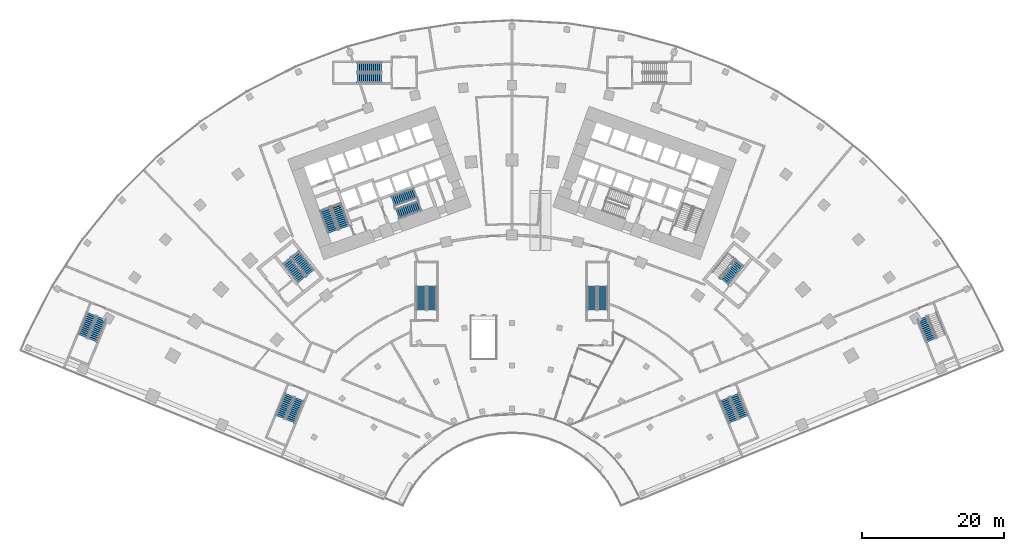
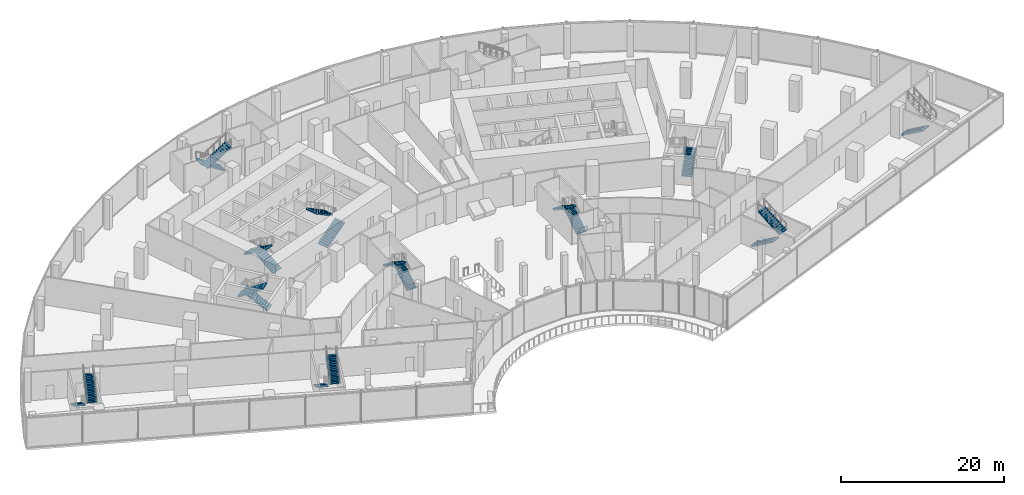
# One storey, part 30 of 40: 20 stair flights, 11 elements without a shape of their own.
"""IFC4 building model written with IfcOpenShell, lengths in metres."""

from ifc_helpers import new_model, si_unit, direction, frame, origin, place, context, subcontext, project, spatial, polyline, outline, extrude, material, layer, layer_set, type_object, element, aggregate, save


model = new_model("IFC4")

# Units and contexts
model_context = context("Model", 3, precision=1e-05, world=origin(), true_north=direction((0.0, 1.0)))
body_context = subcontext(model_context, "Body", "Model", "MODEL_VIEW")
ifc_project = project(units=[si_unit("LENGTHUNIT", "METRE"), si_unit("AREAUNIT", "SQUARE_METRE"), si_unit("VOLUMEUNIT", "CUBIC_METRE"), si_unit("PLANEANGLEUNIT", "RADIAN"), si_unit("MASSUNIT", "GRAM", prefix="KILO")], contexts=[model_context])

# Site, building, storey
site_placement = place(None, origin())
site = spatial("IfcSite", under=ifc_project, at=site_placement, CompositionType="ELEMENT")
building_placement = place(site_placement, origin())
building = spatial("IfcBuilding", under=site, at=building_placement, Name="Stone Belt Terrace Tower", CompositionType="ELEMENT")
storey_placement = place(building_placement, frame((0.0, 0.0, 7.0)))
storey = spatial("IfcBuildingStorey", under=building, at=storey_placement, Name="L01", CompositionType="ELEMENT", Elevation=7.0)

# Stair, stair flights
ifc_material_1 = material(Name="Concrete B30", Category="concrete")
stair_type_1 = type_object("IfcStairType", Name="Podium stair concrete B30", PredefinedType="HALF_TURN_STAIR", material=ifc_material_1)
stair_1_placement = place(storey_placement, origin())
stair_1 = element("IfcStair", 1, at=stair_1_placement, inside=storey, type_object=stair_type_1, Name="L01 podium exit stair 1", PredefinedType="HALF_TURN_STAIR")
ifc_layer = layer(ifc_material_1, 0.14990234375)
ifc_layer_set = layer_set([ifc_layer], Name="Podium stair flight concrete B30")
stair_flight_type_1 = type_object("IfcStairFlightType", Name="Podium stair flight concrete B30", PredefinedType="STRAIGHT", material=ifc_layer_set)
stair_flight_1_placement = place(storey_placement, frame((-31.255126953125, 21.964111328125, 0.0), z_axis=(0.0, 0.0, 1.0), x_axis=(-0.37924309334, -0.925297074541, 0.0)))
stair_flight_1 = element("IfcStairFlight", 2, at=stair_flight_1_placement, type_object=stair_flight_type_1, Name="PS1 flight 1", NumberOfRisers=13, NumberOfTreads=12, PredefinedType="STRAIGHT", RiserHeight=0.176923077, TreadLength=0.28, context=body_context, shape_type="SweptSolid", body=[
    extrude(outline(polyline([(0.0, 0.0), (0.0, 0.177001953125), (0.280029296875, 0.177001953125), (0.280029296875, 0.353759765625), (0.56005859375, 0.353759765625), (0.56005859375, 0.53076171875), (0.840087890625, 0.53076171875), (0.840087890625, 0.707763671875), (1.1201171875, 0.707763671875), (1.1201171875, 0.884521484375), (1.39990234375, 0.884521484375), (1.39990234375, 1.0615234375), (1.679931640625, 1.0615234375), (1.679931640625, 1.238525390625), (1.9599609375, 1.238525390625), (1.9599609375, 1.415283203125), (2.239990234375, 1.415283203125), (2.239990234375, 1.59228515625), (2.52001953125, 1.59228515625), (2.52001953125, 1.769287109375), (2.800048828125, 1.769287109375), (2.800048828125, 1.946044921875), (3.080078125, 1.946044921875), (3.080078125, 2.123046875), (3.360107421875, 2.123046875), (3.360107421875, 2.300048828125), (3.360107421875, 1.94580078125), (0.280517578125, 0.0), (0.0, 0.0)])), frame((0.0, 0.675048828125, 0.0), z_axis=(0.0, -1.0, 0.0), x_axis=(1.0, 0.0, 0.0)), (0.0, 0.0, 1.0), 1.35009765625),
])
stair_flight_2_placement = place(storey_placement, frame((-31.141357421875, 18.2861328125, 2.300048828125), z_axis=(0.0, 0.0, 1.0), x_axis=(0.37924309334, 0.925297074541, 0.0)))
stair_flight_2 = element("IfcStairFlight", 3, at=stair_flight_2_placement, type_object=stair_flight_type_1, Name="PS1 flight 2", NumberOfRisers=13, NumberOfTreads=12, PredefinedType="STRAIGHT", RiserHeight=0.176923077, TreadLength=0.28, context=body_context, shape_type="SweptSolid", body=[
    extrude(outline(polyline([(0.0, 0.0), (0.0, 0.177001953125), (0.280029296875, 0.177001953125), (0.280029296875, 0.353759765625), (0.56005859375, 0.353759765625), (0.56005859375, 0.53076171875), (0.840087890625, 0.53076171875), (0.840087890625, 0.707763671875), (1.1201171875, 0.707763671875), (1.1201171875, 0.884521484375), (1.39990234375, 0.884521484375), (1.39990234375, 1.0615234375), (1.679931640625, 1.0615234375), (1.679931640625, 1.238525390625), (1.9599609375, 1.238525390625), (1.9599609375, 1.415283203125), (2.239990234375, 1.415283203125), (2.239990234375, 1.59228515625), (2.52001953125, 1.59228515625), (2.52001953125, 1.769287109375), (2.800048828125, 1.769287109375), (2.800048828125, 1.946044921875), (3.080078125, 1.946044921875), (3.080078125, 2.123046875), (3.360107421875, 2.123046875), (3.360107421875, 2.300048828125), (3.360107421875, 1.94580078125), (0.280517578125, 0.0), (0.0, 0.0)])), frame((0.0, 0.675048828125, 0.0), z_axis=(0.0, -1.0, 0.0), x_axis=(1.0, 0.0, 0.0)), (0.0, 0.0, 1.0), 1.35009765625),
])
aggregate(stair_1, [stair_flight_1, stair_flight_2])

stair_2_placement = place(storey_placement, origin())
stair_2 = element("IfcStair", 4, at=stair_2_placement, inside=storey, type_object=stair_type_1, Name="L01 podium exit stair 2", PredefinedType="HALF_TURN_STAIR")
stair_flight_3_placement = place(storey_placement, frame((-59.01416015625, 33.34130859375, 0.0), z_axis=(0.0, 0.0, 1.0), x_axis=(-0.37924309334, -0.925297074541, 0.0)))
stair_flight_3 = element("IfcStairFlight", 5, at=stair_flight_3_placement, type_object=stair_flight_type_1, Name="PS2 flight 1", NumberOfRisers=13, NumberOfTreads=12, PredefinedType="STRAIGHT", RiserHeight=0.176923077, TreadLength=0.28, context=body_context, shape_type="SweptSolid", body=[
    extrude(outline(polyline([(0.0, 0.0), (0.0, 0.177001953125), (0.280029296875, 0.177001953125), (0.280029296875, 0.353759765625), (0.56005859375, 0.353759765625), (0.56005859375, 0.53076171875), (0.840087890625, 0.53076171875), (0.840087890625, 0.707763671875), (1.1201171875, 0.707763671875), (1.1201171875, 0.884521484375), (1.39990234375, 0.884521484375), (1.39990234375, 1.0615234375), (1.679931640625, 1.0615234375), (1.679931640625, 1.238525390625), (1.9599609375, 1.238525390625), (1.9599609375, 1.415283203125), (2.239990234375, 1.415283203125), (2.239990234375, 1.59228515625), (2.52001953125, 1.59228515625), (2.52001953125, 1.769287109375), (2.800048828125, 1.769287109375), (2.800048828125, 1.946044921875), (3.080078125, 1.946044921875), (3.080078125, 2.123046875), (3.360107421875, 2.123046875), (3.360107421875, 2.300048828125), (3.360107421875, 1.94580078125), (0.280517578125, 0.0), (0.0, 0.0)])), frame((0.0, 0.675048828125, 0.0), z_axis=(0.0, -1.0, 0.0), x_axis=(1.0, 0.0, 0.0)), (0.0, 0.0, 1.0), 1.35009765625),
])
stair_flight_4_placement = place(storey_placement, frame((-58.900390625, 29.66357421875, 2.300048828125), z_axis=(0.0, 0.0, 1.0), x_axis=(0.37924309334, 0.925297074541, 0.0)))
stair_flight_4 = element("IfcStairFlight", 6, at=stair_flight_4_placement, type_object=stair_flight_type_1, Name="PS2 flight 2", NumberOfRisers=13, NumberOfTreads=12, PredefinedType="STRAIGHT", RiserHeight=0.176923077, TreadLength=0.28, context=body_context, shape_type="SweptSolid", body=[
    extrude(outline(polyline([(0.0, 0.0), (0.0, 0.177001953125), (0.280029296875, 0.177001953125), (0.280029296875, 0.353759765625), (0.56005859375, 0.353759765625), (0.56005859375, 0.53076171875), (0.840087890625, 0.53076171875), (0.840087890625, 0.707763671875), (1.1201171875, 0.707763671875), (1.1201171875, 0.884521484375), (1.39990234375, 0.884521484375), (1.39990234375, 1.0615234375), (1.679931640625, 1.0615234375), (1.679931640625, 1.238525390625), (1.9599609375, 1.238525390625), (1.9599609375, 1.415283203125), (2.239990234375, 1.415283203125), (2.239990234375, 1.59228515625), (2.52001953125, 1.59228515625), (2.52001953125, 1.769287109375), (2.800048828125, 1.769287109375), (2.800048828125, 1.946044921875), (3.080078125, 1.946044921875), (3.080078125, 2.123046875), (3.360107421875, 2.123046875), (3.360107421875, 2.300048828125), (3.360107421875, 1.94580078125), (0.280517578125, 0.0), (0.0, 0.0)])), frame((0.0, 0.675048828125, 0.0), z_axis=(0.0, -1.0, 0.0), x_axis=(1.0, 0.0, 0.0)), (0.0, 0.0, 1.0), 1.35009765625),
])
aggregate(stair_2, [stair_flight_3, stair_flight_4])

stair_3_placement = place(storey_placement, origin())
stair_3 = element("IfcStair", 7, at=stair_3_placement, inside=storey, type_object=stair_type_1, Name="L01 podium exit stair 3", PredefinedType="HALF_TURN_STAIR")
stair_flight_5_placement = place(storey_placement, frame((29.8671875, 21.395263671875, 0.0), z_axis=(0.0, 0.0, 1.0), x_axis=(0.37924309334, -0.925297074541, 0.0)))
stair_flight_5 = element("IfcStairFlight", 8, at=stair_flight_5_placement, type_object=stair_flight_type_1, Name="PS3 flight 1", NumberOfRisers=13, NumberOfTreads=12, PredefinedType="STRAIGHT", RiserHeight=0.176923077, TreadLength=0.28, context=body_context, shape_type="SweptSolid", body=[
    extrude(outline(polyline([(0.0, 0.0), (0.0, 0.177001953125), (0.280029296875, 0.177001953125), (0.280029296875, 0.353759765625), (0.56005859375, 0.353759765625), (0.56005859375, 0.53076171875), (0.840087890625, 0.53076171875), (0.840087890625, 0.707763671875), (1.1201171875, 0.707763671875), (1.1201171875, 0.884521484375), (1.39990234375, 0.884521484375), (1.39990234375, 1.0615234375), (1.679931640625, 1.0615234375), (1.679931640625, 1.238525390625), (1.9599609375, 1.238525390625), (1.9599609375, 1.415283203125), (2.239990234375, 1.415283203125), (2.239990234375, 1.59228515625), (2.52001953125, 1.59228515625), (2.52001953125, 1.769287109375), (2.800048828125, 1.769287109375), (2.800048828125, 1.946044921875), (3.080078125, 1.946044921875), (3.080078125, 2.123046875), (3.360107421875, 2.123046875), (3.360107421875, 2.300048828125), (3.360107421875, 1.94580078125), (0.280517578125, 0.0), (0.0, 0.0)])), frame((0.0, 0.675048828125, 0.0), z_axis=(0.0, -1.0, 0.0), x_axis=(1.0, 0.0, 0.0)), (0.0, 0.0, 1.0), 1.35009765625),
])
stair_flight_6_placement = place(storey_placement, frame((32.529296875, 18.85498046875, 2.300048828125), z_axis=(0.0, 0.0, 1.0), x_axis=(-0.37924309334, 0.925297074541, 0.0)))
stair_flight_6 = element("IfcStairFlight", 9, at=stair_flight_6_placement, type_object=stair_flight_type_1, Name="PS3 flight 2", NumberOfRisers=13, NumberOfTreads=12, PredefinedType="STRAIGHT", RiserHeight=0.176923077, TreadLength=0.28, context=body_context, shape_type="SweptSolid", body=[
    extrude(outline(polyline([(0.0, 0.0), (0.0, 0.177001953125), (0.280029296875, 0.177001953125), (0.280029296875, 0.353759765625), (0.56005859375, 0.353759765625), (0.56005859375, 0.53076171875), (0.840087890625, 0.53076171875), (0.840087890625, 0.707763671875), (1.1201171875, 0.707763671875), (1.1201171875, 0.884521484375), (1.39990234375, 0.884521484375), (1.39990234375, 1.0615234375), (1.679931640625, 1.0615234375), (1.679931640625, 1.238525390625), (1.9599609375, 1.238525390625), (1.9599609375, 1.415283203125), (2.239990234375, 1.415283203125), (2.239990234375, 1.59228515625), (2.52001953125, 1.59228515625), (2.52001953125, 1.769287109375), (2.800048828125, 1.769287109375), (2.800048828125, 1.946044921875), (3.080078125, 1.946044921875), (3.080078125, 2.123046875), (3.360107421875, 2.123046875), (3.360107421875, 2.300048828125), (3.360107421875, 1.94580078125), (0.280517578125, 0.0), (0.0, 0.0)])), frame((0.0, 0.675048828125, 0.0), z_axis=(0.0, -1.0, 0.0), x_axis=(1.0, 0.0, 0.0)), (0.0, 0.0, 1.0), 1.35009765625),
])
aggregate(stair_3, [stair_flight_5, stair_flight_6])

# Stair, stair flight
stair_4_placement = place(storey_placement, origin())
stair_4 = element("IfcStair", 10, at=stair_4_placement, inside=storey, type_object=stair_type_1, Name="L01 podium exit stair 4", PredefinedType="HALF_TURN_STAIR")
stair_flight_7_placement = place(storey_placement, frame((57.6259765625, 32.7724609375, 0.0), z_axis=(0.0, 0.0, 1.0), x_axis=(0.37924309334, -0.925297074541, 0.0)))
stair_flight_7 = element("IfcStairFlight", 11, at=stair_flight_7_placement, type_object=stair_flight_type_1, Name="PS4 flight 1", NumberOfRisers=13, NumberOfTreads=12, PredefinedType="STRAIGHT", RiserHeight=0.176923077, TreadLength=0.28, context=body_context, shape_type="SweptSolid", body=[
    extrude(outline(polyline([(0.0, 0.0), (0.0, 0.177001953125), (0.280029296875, 0.177001953125), (0.280029296875, 0.353759765625), (0.56005859375, 0.353759765625), (0.56005859375, 0.53076171875), (0.840087890625, 0.53076171875), (0.840087890625, 0.707763671875), (1.1201171875, 0.707763671875), (1.1201171875, 0.884521484375), (1.39990234375, 0.884521484375), (1.39990234375, 1.0615234375), (1.679931640625, 1.0615234375), (1.679931640625, 1.238525390625), (1.9599609375, 1.238525390625), (1.9599609375, 1.415283203125), (2.239990234375, 1.415283203125), (2.239990234375, 1.59228515625), (2.52001953125, 1.59228515625), (2.52001953125, 1.769287109375), (2.800048828125, 1.769287109375), (2.800048828125, 1.946044921875), (3.080078125, 1.946044921875), (3.080078125, 2.123046875), (3.360107421875, 2.123046875), (3.360107421875, 2.300048828125), (3.360107421875, 1.94580078125), (0.280517578125, 0.0), (0.0, 0.0)])), frame((0.0, 0.675048828125, 0.0), z_axis=(0.0, -1.0, 0.0), x_axis=(1.0, 0.0, 0.0)), (0.0, 0.0, 1.0), 1.35009765625),
])
aggregate(stair_4, [stair_flight_7])

# Stair, stair flights
stair_5_placement = place(storey_placement, origin())
stair_5 = element("IfcStair", 12, at=stair_5_placement, inside=storey, type_object=stair_type_1, Name="L01 podium exit stair 5", PredefinedType="HALF_TURN_STAIR")
stair_flight_8_placement = place(storey_placement, frame((-11.25, 33.889892578125, 0.0), z_axis=(0.0, 0.0, 1.0), x_axis=(0.0, 1.0, 0.0)))
stair_flight_8 = element("IfcStairFlight", 13, at=stair_flight_8_placement, type_object=stair_flight_type_1, Name="PS5 flight 1", NumberOfRisers=13, NumberOfTreads=12, PredefinedType="STRAIGHT", RiserHeight=0.176923077, TreadLength=0.28, context=body_context, shape_type="SweptSolid", body=[
    extrude(outline(polyline([(0.0, 0.0), (0.0, 0.177001953125), (0.280029296875, 0.177001953125), (0.280029296875, 0.353759765625), (0.56005859375, 0.353759765625), (0.56005859375, 0.53076171875), (0.840087890625, 0.53076171875), (0.840087890625, 0.707763671875), (1.1201171875, 0.707763671875), (1.1201171875, 0.884521484375), (1.39990234375, 0.884521484375), (1.39990234375, 1.0615234375), (1.679931640625, 1.0615234375), (1.679931640625, 1.238525390625), (1.9599609375, 1.238525390625), (1.9599609375, 1.415283203125), (2.239990234375, 1.415283203125), (2.239990234375, 1.59228515625), (2.52001953125, 1.59228515625), (2.52001953125, 1.769287109375), (2.800048828125, 1.769287109375), (2.800048828125, 1.946044921875), (3.080078125, 1.946044921875), (3.080078125, 2.123046875), (3.360107421875, 2.123046875), (3.360107421875, 2.300048828125), (3.360107421875, 1.94580078125), (0.280517578125, 0.0), (0.0, 0.0)])), frame((0.0, 0.675048828125, 0.0), z_axis=(0.0, -1.0, 0.0), x_axis=(1.0, 0.0, 0.0)), (0.0, 0.0, 1.0), 1.35009765625),
])
stair_flight_9_placement = place(storey_placement, frame((-12.75, 37.25, 2.300048828125), z_axis=(0.0, 0.0, 1.0), x_axis=(0.0, -1.0, 0.0)))
stair_flight_9 = element("IfcStairFlight", 14, at=stair_flight_9_placement, type_object=stair_flight_type_1, Name="PS5 flight 2", NumberOfRisers=13, NumberOfTreads=12, PredefinedType="STRAIGHT", RiserHeight=0.176923077, TreadLength=0.28, context=body_context, shape_type="SweptSolid", body=[
    extrude(outline(polyline([(0.0, 0.0), (0.0, 0.177001953125), (0.280029296875, 0.177001953125), (0.280029296875, 0.353759765625), (0.56005859375, 0.353759765625), (0.56005859375, 0.53076171875), (0.840087890625, 0.53076171875), (0.840087890625, 0.707763671875), (1.1201171875, 0.707763671875), (1.1201171875, 0.884521484375), (1.39990234375, 0.884521484375), (1.39990234375, 1.0615234375), (1.679931640625, 1.0615234375), (1.679931640625, 1.238525390625), (1.9599609375, 1.238525390625), (1.9599609375, 1.415283203125), (2.239990234375, 1.415283203125), (2.239990234375, 1.59228515625), (2.52001953125, 1.59228515625), (2.52001953125, 1.769287109375), (2.800048828125, 1.769287109375), (2.800048828125, 1.946044921875), (3.080078125, 1.946044921875), (3.080078125, 2.123046875), (3.360107421875, 2.123046875), (3.360107421875, 2.300048828125), (3.360107421875, 1.94580078125), (0.280517578125, 0.0), (0.0, 0.0)])), frame((0.0, 0.675048828125, 0.0), z_axis=(0.0, -1.0, 0.0), x_axis=(1.0, 0.0, 0.0)), (0.0, 0.0, 1.0), 1.35009765625),
])
aggregate(stair_5, [stair_flight_8, stair_flight_9])

stair_6_placement = place(storey_placement, origin())
stair_6 = element("IfcStair", 15, at=stair_6_placement, inside=storey, type_object=stair_type_1, Name="L01 podium exit stair 6", PredefinedType="HALF_TURN_STAIR")
stair_flight_10_placement = place(storey_placement, frame((12.75, 33.889892578125, 0.0), z_axis=(0.0, 0.0, 1.0), x_axis=(0.0, 1.0, 0.0)))
stair_flight_10 = element("IfcStairFlight", 16, at=stair_flight_10_placement, type_object=stair_flight_type_1, Name="PS6 flight 1", NumberOfRisers=13, NumberOfTreads=12, PredefinedType="STRAIGHT", RiserHeight=0.176923077, TreadLength=0.28, context=body_context, shape_type="SweptSolid", body=[
    extrude(outline(polyline([(0.0, 0.0), (0.0, 0.177001953125), (0.280029296875, 0.177001953125), (0.280029296875, 0.353759765625), (0.56005859375, 0.353759765625), (0.56005859375, 0.53076171875), (0.840087890625, 0.53076171875), (0.840087890625, 0.707763671875), (1.1201171875, 0.707763671875), (1.1201171875, 0.884521484375), (1.39990234375, 0.884521484375), (1.39990234375, 1.0615234375), (1.679931640625, 1.0615234375), (1.679931640625, 1.238525390625), (1.9599609375, 1.238525390625), (1.9599609375, 1.415283203125), (2.239990234375, 1.415283203125), (2.239990234375, 1.59228515625), (2.52001953125, 1.59228515625), (2.52001953125, 1.769287109375), (2.800048828125, 1.769287109375), (2.800048828125, 1.946044921875), (3.080078125, 1.946044921875), (3.080078125, 2.123046875), (3.360107421875, 2.123046875), (3.360107421875, 2.300048828125), (3.360107421875, 1.94580078125), (0.280517578125, 0.0), (0.0, 0.0)])), frame((0.0, 0.675048828125, 0.0), z_axis=(0.0, -1.0, 0.0), x_axis=(1.0, 0.0, 0.0)), (0.0, 0.0, 1.0), 1.35009765625),
])
stair_flight_11_placement = place(storey_placement, frame((11.25, 37.25, 2.300048828125), z_axis=(0.0, 0.0, 1.0), x_axis=(0.0, -1.0, 0.0)))
stair_flight_11 = element("IfcStairFlight", 17, at=stair_flight_11_placement, type_object=stair_flight_type_1, Name="PS6 flight 2", NumberOfRisers=13, NumberOfTreads=12, PredefinedType="STRAIGHT", RiserHeight=0.176923077, TreadLength=0.28, context=body_context, shape_type="SweptSolid", body=[
    extrude(outline(polyline([(0.0, 0.0), (0.0, 0.177001953125), (0.280029296875, 0.177001953125), (0.280029296875, 0.353759765625), (0.56005859375, 0.353759765625), (0.56005859375, 0.53076171875), (0.840087890625, 0.53076171875), (0.840087890625, 0.707763671875), (1.1201171875, 0.707763671875), (1.1201171875, 0.884521484375), (1.39990234375, 0.884521484375), (1.39990234375, 1.0615234375), (1.679931640625, 1.0615234375), (1.679931640625, 1.238525390625), (1.9599609375, 1.238525390625), (1.9599609375, 1.415283203125), (2.239990234375, 1.415283203125), (2.239990234375, 1.59228515625), (2.52001953125, 1.59228515625), (2.52001953125, 1.769287109375), (2.800048828125, 1.769287109375), (2.800048828125, 1.946044921875), (3.080078125, 1.946044921875), (3.080078125, 2.123046875), (3.360107421875, 2.123046875), (3.360107421875, 2.300048828125), (3.360107421875, 1.94580078125), (0.280517578125, 0.0), (0.0, 0.0)])), frame((0.0, 0.675048828125, 0.0), z_axis=(0.0, -1.0, 0.0), x_axis=(1.0, 0.0, 0.0)), (0.0, 0.0, 1.0), 1.35009765625),
])
aggregate(stair_6, [stair_flight_10, stair_flight_11])

stair_7_placement = place(storey_placement, origin())
stair_7 = element("IfcStair", 18, at=stair_7_placement, inside=storey, type_object=stair_type_1, Name="L01 podium exit stair 7", PredefinedType="HALF_TURN_STAIR")
stair_flight_12_placement = place(storey_placement, frame((-18.340087890625, 68.0, 0.0), z_axis=(0.0, 0.0, 1.0), x_axis=(-1.0, 0.0, 0.0)))
stair_flight_12 = element("IfcStairFlight", 19, at=stair_flight_12_placement, type_object=stair_flight_type_1, Name="PS7 flight 1", NumberOfRisers=13, NumberOfTreads=12, PredefinedType="STRAIGHT", RiserHeight=0.176923077, TreadLength=0.28, context=body_context, shape_type="SweptSolid", body=[
    extrude(outline(polyline([(0.0, 0.0), (0.0, 0.177001953125), (0.280029296875, 0.177001953125), (0.280029296875, 0.353759765625), (0.56005859375, 0.353759765625), (0.56005859375, 0.53076171875), (0.840087890625, 0.53076171875), (0.840087890625, 0.707763671875), (1.1201171875, 0.707763671875), (1.1201171875, 0.884521484375), (1.39990234375, 0.884521484375), (1.39990234375, 1.0615234375), (1.679931640625, 1.0615234375), (1.679931640625, 1.238525390625), (1.9599609375, 1.238525390625), (1.9599609375, 1.415283203125), (2.239990234375, 1.415283203125), (2.239990234375, 1.59228515625), (2.52001953125, 1.59228515625), (2.52001953125, 1.769287109375), (2.800048828125, 1.769287109375), (2.800048828125, 1.946044921875), (3.080078125, 1.946044921875), (3.080078125, 2.123046875), (3.360107421875, 2.123046875), (3.360107421875, 2.300048828125), (3.360107421875, 1.94580078125), (0.280517578125, 0.0), (0.0, 0.0)])), frame((0.0, 0.675048828125, 0.0), z_axis=(0.0, -1.0, 0.0), x_axis=(1.0, 0.0, 0.0)), (0.0, 0.0, 1.0), 1.35009765625),
])
stair_flight_13_placement = place(storey_placement, frame((-21.699951171875, 66.5, 2.300048828125), z_axis=(0.0, 0.0, 1.0), x_axis=(1.0, 0.0, 0.0)))
stair_flight_13 = element("IfcStairFlight", 20, at=stair_flight_13_placement, type_object=stair_flight_type_1, Name="PS7 flight 2", NumberOfRisers=13, NumberOfTreads=12, PredefinedType="STRAIGHT", RiserHeight=0.176923077, TreadLength=0.28, context=body_context, shape_type="SweptSolid", body=[
    extrude(outline(polyline([(0.0, 0.0), (0.0, 0.177001953125), (0.280029296875, 0.177001953125), (0.280029296875, 0.353759765625), (0.56005859375, 0.353759765625), (0.56005859375, 0.53076171875), (0.840087890625, 0.53076171875), (0.840087890625, 0.707763671875), (1.1201171875, 0.707763671875), (1.1201171875, 0.884521484375), (1.39990234375, 0.884521484375), (1.39990234375, 1.0615234375), (1.679931640625, 1.0615234375), (1.679931640625, 1.238525390625), (1.9599609375, 1.238525390625), (1.9599609375, 1.415283203125), (2.239990234375, 1.415283203125), (2.239990234375, 1.59228515625), (2.52001953125, 1.59228515625), (2.52001953125, 1.769287109375), (2.800048828125, 1.769287109375), (2.800048828125, 1.946044921875), (3.080078125, 1.946044921875), (3.080078125, 2.123046875), (3.360107421875, 2.123046875), (3.360107421875, 2.300048828125), (3.360107421875, 1.94580078125), (0.280517578125, 0.0), (0.0, 0.0)])), frame((0.0, 0.675048828125, 0.0), z_axis=(0.0, -1.0, 0.0), x_axis=(1.0, 0.0, 0.0)), (0.0, 0.0, 1.0), 1.35009765625),
])
aggregate(stair_7, [stair_flight_12, stair_flight_13])

ifc_material_2 = material(Name="Concrete B40", Category="concrete")
stair_type_2 = type_object("IfcStairType", Name="Exit stair 1500", PredefinedType="HALF_TURN_STAIR", material=ifc_material_2)
stair_8_placement = place(storey_placement, origin())
stair_8 = element("IfcStair", 21, at=stair_8_placement, inside=storey, type_object=stair_type_2, Name="L01 Exit stair 1 core A", PredefinedType="HALF_TURN_STAIR")
stair_flight_type_2 = type_object("IfcStairFlightType", Name="Stair flight 1500", PredefinedType="STRAIGHT", material=ifc_material_2)
stair_flight_14_placement = place(storey_placement, frame((-23.55322265625, 45.51318359375, 0.0), z_axis=(0.0, 0.0, 1.0), x_axis=(-0.338624396177, 0.940921632398, 0.0)))
stair_flight_14 = element("IfcStairFlight", 22, at=stair_flight_14_placement, type_object=stair_flight_type_2, Name="ST1A flight 1", NumberOfRisers=13, NumberOfTreads=12, PredefinedType="STRAIGHT", RiserHeight=0.176923077, TreadLength=0.28, context=body_context, shape_type="SweptSolid", body=[
    extrude(outline(polyline([(0.0, 0.0), (0.0, 0.177001953125), (0.280029296875, 0.177001953125), (0.280029296875, 0.353759765625), (0.56005859375, 0.353759765625), (0.56005859375, 0.53076171875), (0.840087890625, 0.53076171875), (0.840087890625, 0.707763671875), (1.1201171875, 0.707763671875), (1.1201171875, 0.884521484375), (1.39990234375, 0.884521484375), (1.39990234375, 1.0615234375), (1.679931640625, 1.0615234375), (1.679931640625, 1.238525390625), (1.9599609375, 1.238525390625), (1.9599609375, 1.415283203125), (2.239990234375, 1.415283203125), (2.239990234375, 1.59228515625), (2.52001953125, 1.59228515625), (2.52001953125, 1.769287109375), (2.800048828125, 1.769287109375), (2.800048828125, 1.946044921875), (3.080078125, 1.946044921875), (3.080078125, 2.123046875), (3.360107421875, 2.123046875), (3.360107421875, 2.300048828125), (3.360107421875, 1.94580078125), (0.280517578125, 0.0), (0.0, 0.0)])), frame((0.0, 0.75, 0.0), z_axis=(0.0, -1.0, 0.0), x_axis=(1.0, 0.0, 0.0)), (0.0, 0.0, 1.0), 1.5),
])
stair_flight_15_placement = place(storey_placement, frame((-26.290771484375, 48.098876953125, 2.300048828125), z_axis=(0.0, 0.0, 1.0), x_axis=(0.338624396177, -0.940921632398, 0.0)))
stair_flight_15 = element("IfcStairFlight", 23, at=stair_flight_15_placement, type_object=stair_flight_type_2, Name="ST1A flight 2", NumberOfRisers=13, NumberOfTreads=12, PredefinedType="STRAIGHT", RiserHeight=0.176923077, TreadLength=0.28, context=body_context, shape_type="SweptSolid", body=[
    extrude(outline(polyline([(0.0, 0.0), (0.0, 0.177001953125), (0.280029296875, 0.177001953125), (0.280029296875, 0.353759765625), (0.56005859375, 0.353759765625), (0.56005859375, 0.53076171875), (0.840087890625, 0.53076171875), (0.840087890625, 0.707763671875), (1.1201171875, 0.707763671875), (1.1201171875, 0.884521484375), (1.39990234375, 0.884521484375), (1.39990234375, 1.0615234375), (1.679931640625, 1.0615234375), (1.679931640625, 1.238525390625), (1.9599609375, 1.238525390625), (1.9599609375, 1.415283203125), (2.239990234375, 1.415283203125), (2.239990234375, 1.59228515625), (2.52001953125, 1.59228515625), (2.52001953125, 1.769287109375), (2.800048828125, 1.769287109375), (2.800048828125, 1.946044921875), (3.080078125, 1.946044921875), (3.080078125, 2.123046875), (3.360107421875, 2.123046875), (3.360107421875, 2.300048828125), (3.360107421875, 1.94580078125), (0.280517578125, 0.0), (0.0, 0.0)])), frame((0.0, 0.75, 0.0), z_axis=(0.0, -1.0, 0.0), x_axis=(1.0, 0.0, 0.0)), (0.0, 0.0, 1.0), 1.5),
])
aggregate(stair_8, [stair_flight_14, stair_flight_15])

stair_9_placement = place(storey_placement, origin())
stair_9 = element("IfcStair", 24, at=stair_9_placement, inside=storey, type_object=stair_type_2, Name="L01 Exit stair 2 core A", PredefinedType="HALF_TURN_STAIR")
stair_flight_16_placement = place(storey_placement, frame((-16.101318359375, 47.39794921875, 0.0), z_axis=(0.0, 0.0, 1.0), x_axis=(0.940921632398, 0.338624396177, 0.0)))
stair_flight_16 = element("IfcStairFlight", 25, at=stair_flight_16_placement, type_object=stair_flight_type_2, Name="ST2A flight 1", NumberOfRisers=13, NumberOfTreads=12, PredefinedType="STRAIGHT", RiserHeight=0.176923077, TreadLength=0.28, context=body_context, shape_type="SweptSolid", body=[
    extrude(outline(polyline([(0.0, 0.0), (0.0, 0.177001953125), (0.280029296875, 0.177001953125), (0.280029296875, 0.353759765625), (0.56005859375, 0.353759765625), (0.56005859375, 0.53076171875), (0.840087890625, 0.53076171875), (0.840087890625, 0.707763671875), (1.1201171875, 0.707763671875), (1.1201171875, 0.884521484375), (1.39990234375, 0.884521484375), (1.39990234375, 1.0615234375), (1.679931640625, 1.0615234375), (1.679931640625, 1.238525390625), (1.9599609375, 1.238525390625), (1.9599609375, 1.415283203125), (2.239990234375, 1.415283203125), (2.239990234375, 1.59228515625), (2.52001953125, 1.59228515625), (2.52001953125, 1.769287109375), (2.800048828125, 1.769287109375), (2.800048828125, 1.946044921875), (3.080078125, 1.946044921875), (3.080078125, 2.123046875), (3.360107421875, 2.123046875), (3.360107421875, 2.300048828125), (3.360107421875, 1.94580078125), (0.280517578125, 0.0), (0.0, 0.0)])), frame((0.0, 0.75, 0.0), z_axis=(0.0, -1.0, 0.0), x_axis=(1.0, 0.0, 0.0)), (0.0, 0.0, 1.0), 1.5),
])
stair_flight_17_placement = place(storey_placement, frame((-13.583251953125, 50.323486328125, 2.300048828125), z_axis=(0.0, 0.0, 1.0), x_axis=(-0.940921632398, -0.338624396177, 0.0)))
stair_flight_17 = element("IfcStairFlight", 26, at=stair_flight_17_placement, type_object=stair_flight_type_2, Name="ST2A flight 2", NumberOfRisers=13, NumberOfTreads=12, PredefinedType="STRAIGHT", RiserHeight=0.176923077, TreadLength=0.28, context=body_context, shape_type="SweptSolid", body=[
    extrude(outline(polyline([(0.0, 0.0), (0.0, 0.177001953125), (0.280029296875, 0.177001953125), (0.280029296875, 0.353759765625), (0.56005859375, 0.353759765625), (0.56005859375, 0.53076171875), (0.840087890625, 0.53076171875), (0.840087890625, 0.707763671875), (1.1201171875, 0.707763671875), (1.1201171875, 0.884521484375), (1.39990234375, 0.884521484375), (1.39990234375, 1.0615234375), (1.679931640625, 1.0615234375), (1.679931640625, 1.238525390625), (1.9599609375, 1.238525390625), (1.9599609375, 1.415283203125), (2.239990234375, 1.415283203125), (2.239990234375, 1.59228515625), (2.52001953125, 1.59228515625), (2.52001953125, 1.769287109375), (2.800048828125, 1.769287109375), (2.800048828125, 1.946044921875), (3.080078125, 1.946044921875), (3.080078125, 2.123046875), (3.360107421875, 2.123046875), (3.360107421875, 2.300048828125), (3.360107421875, 1.94580078125), (0.280517578125, 0.0), (0.0, 0.0)])), frame((0.0, 0.75, 0.0), z_axis=(0.0, -1.0, 0.0), x_axis=(1.0, 0.0, 0.0)), (0.0, 0.0, 1.0), 1.5),
])
aggregate(stair_9, [stair_flight_16, stair_flight_17])

stair_10_placement = place(storey_placement, origin())
stair_10 = element("IfcStair", 27, at=stair_10_placement, inside=storey, type_object=stair_type_2, Name="L01 Exit stair 3A", PredefinedType="HALF_TURN_STAIR")
stair_flight_18_placement = place(storey_placement, frame((-28.325439453125, 39.1240234375, 0.0), z_axis=(0.0, 0.0, 1.0), x_axis=(-0.623121363691, 0.782125160132, 0.0)))
stair_flight_18 = element("IfcStairFlight", 28, at=stair_flight_18_placement, type_object=stair_flight_type_2, Name="ST3A flight 1", NumberOfRisers=13, NumberOfTreads=12, PredefinedType="STRAIGHT", RiserHeight=0.176923077, TreadLength=0.28, context=body_context, shape_type="SweptSolid", body=[
    extrude(outline(polyline([(0.0, 0.0), (0.0, 0.177001953125), (0.280029296875, 0.177001953125), (0.280029296875, 0.353759765625), (0.56005859375, 0.353759765625), (0.56005859375, 0.53076171875), (0.840087890625, 0.53076171875), (0.840087890625, 0.707763671875), (1.1201171875, 0.707763671875), (1.1201171875, 0.884521484375), (1.39990234375, 0.884521484375), (1.39990234375, 1.0615234375), (1.679931640625, 1.0615234375), (1.679931640625, 1.238525390625), (1.9599609375, 1.238525390625), (1.9599609375, 1.415283203125), (2.239990234375, 1.415283203125), (2.239990234375, 1.59228515625), (2.52001953125, 1.59228515625), (2.52001953125, 1.769287109375), (2.800048828125, 1.769287109375), (2.800048828125, 1.946044921875), (3.080078125, 1.946044921875), (3.080078125, 2.123046875), (3.360107421875, 2.123046875), (3.360107421875, 2.300048828125), (3.360107421875, 1.94580078125), (0.280517578125, 0.0), (0.0, 0.0)])), frame((0.0, 0.675048828125, 0.0), z_axis=(0.0, -1.0, 0.0), x_axis=(1.0, 0.0, 0.0)), (0.0, 0.0, 1.0), 1.35009765625),
])
stair_flight_19_placement = place(storey_placement, frame((-31.63134765625, 40.7861328125, 2.300048828125), z_axis=(0.0, 0.0, 1.0), x_axis=(0.623121363691, -0.782125160132, 0.0)))
stair_flight_19 = element("IfcStairFlight", 29, at=stair_flight_19_placement, type_object=stair_flight_type_2, Name="ST3A flight 2", NumberOfRisers=13, NumberOfTreads=12, PredefinedType="STRAIGHT", RiserHeight=0.176923077, TreadLength=0.28, context=body_context, shape_type="SweptSolid", body=[
    extrude(outline(polyline([(0.0, 0.0), (0.0, 0.177001953125), (0.280029296875, 0.177001953125), (0.280029296875, 0.353759765625), (0.56005859375, 0.353759765625), (0.56005859375, 0.53076171875), (0.840087890625, 0.53076171875), (0.840087890625, 0.707763671875), (1.1201171875, 0.707763671875), (1.1201171875, 0.884521484375), (1.39990234375, 0.884521484375), (1.39990234375, 1.0615234375), (1.679931640625, 1.0615234375), (1.679931640625, 1.238525390625), (1.9599609375, 1.238525390625), (1.9599609375, 1.415283203125), (2.239990234375, 1.415283203125), (2.239990234375, 1.59228515625), (2.52001953125, 1.59228515625), (2.52001953125, 1.769287109375), (2.800048828125, 1.769287109375), (2.800048828125, 1.946044921875), (3.080078125, 1.946044921875), (3.080078125, 2.123046875), (3.360107421875, 2.123046875), (3.360107421875, 2.300048828125), (3.360107421875, 1.94580078125), (0.280517578125, 0.0), (0.0, 0.0)])), frame((0.0, 0.675048828125, 0.0), z_axis=(0.0, -1.0, 0.0), x_axis=(1.0, 0.0, 0.0)), (0.0, 0.0, 1.0), 1.35009765625),
])
aggregate(stair_10, [stair_flight_18, stair_flight_19])

# Stair, stair flight
stair_11_placement = place(storey_placement, origin())
stair_11 = element("IfcStair", 30, at=stair_11_placement, inside=storey, type_object=stair_type_2, Name="L01 Exit stair 3B", PredefinedType="HALF_TURN_STAIR")
stair_flight_20_placement = place(storey_placement, frame((29.88330078125, 37.887939453125, 0.0), z_axis=(0.0, 0.0, 1.0), x_axis=(0.630205749599, 0.776428176441, 0.0)))
stair_flight_20 = element("IfcStairFlight", 31, at=stair_flight_20_placement, type_object=stair_flight_type_2, Name="ST3B flight 1", NumberOfRisers=13, NumberOfTreads=12, PredefinedType="STRAIGHT", RiserHeight=0.176923077, TreadLength=0.28, context=body_context, shape_type="SweptSolid", body=[
    extrude(outline(polyline([(0.0, 0.0), (0.0, 0.177001953125), (0.280029296875, 0.177001953125), (0.280029296875, 0.353759765625), (0.56005859375, 0.353759765625), (0.56005859375, 0.53076171875), (0.840087890625, 0.53076171875), (0.840087890625, 0.707763671875), (1.1201171875, 0.707763671875), (1.1201171875, 0.884521484375), (1.39990234375, 0.884521484375), (1.39990234375, 1.0615234375), (1.679931640625, 1.0615234375), (1.679931640625, 1.238525390625), (1.9599609375, 1.238525390625), (1.9599609375, 1.415283203125), (2.239990234375, 1.415283203125), (2.239990234375, 1.59228515625), (2.52001953125, 1.59228515625), (2.52001953125, 1.769287109375), (2.800048828125, 1.769287109375), (2.800048828125, 1.946044921875), (3.080078125, 1.946044921875), (3.080078125, 2.123046875), (3.360107421875, 2.123046875), (3.360107421875, 2.300048828125), (3.360107421875, 1.94580078125), (0.280517578125, 0.0), (0.0, 0.0)])), frame((0.0, 0.675048828125, 0.0), z_axis=(0.0, -1.0, 0.0), x_axis=(1.0, 0.0, 0.0)), (0.0, 0.0, 1.0), 1.35009765625),
])
aggregate(stair_11, [stair_flight_20])

save(model, "model.ifc")
